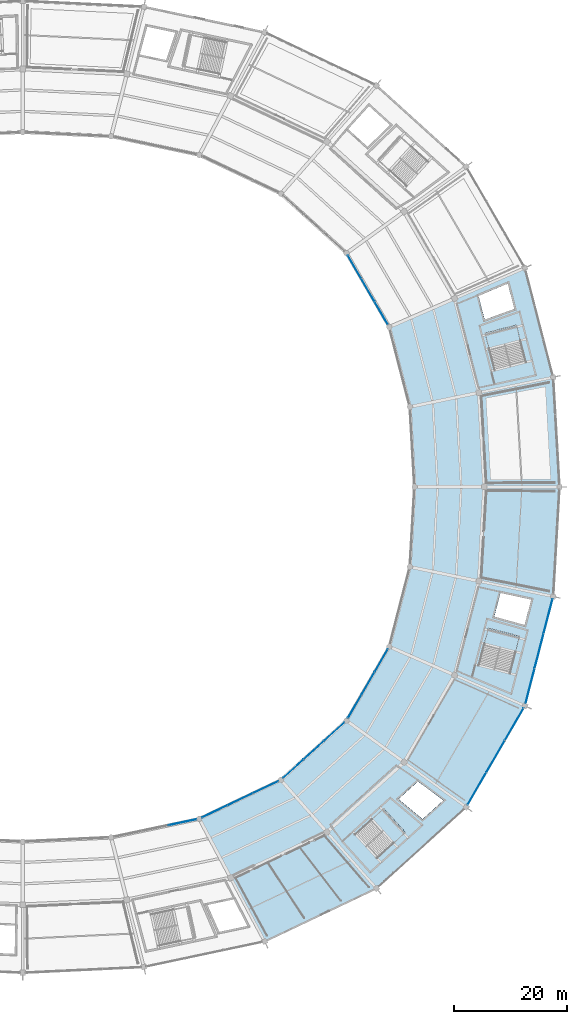
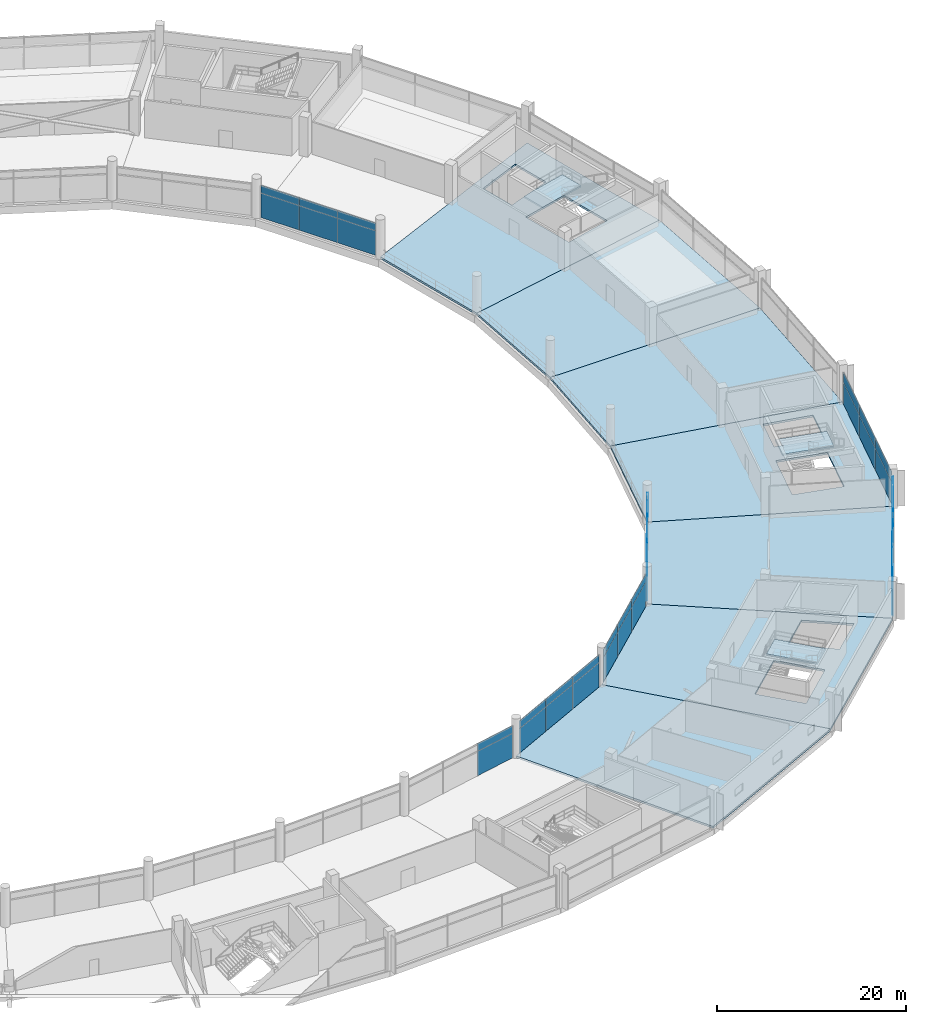
# One storey, part 140 of 184: 38 plates, 10 slabs, 10 elements without a shape of their own.
"""IFC4 building model written with IfcOpenShell, lengths in metres."""

from ifc_helpers import new_model, si_unit, direction, frame, origin, origin_2d, place, context, subcontext, project, spatial, polyline, rectangle, outline, extrude, material, layer, layer_set, type_object, element, aggregate, save


model = new_model("IFC4")

# Units and contexts
model_context = context("Model", 3, precision=1e-05, world=origin(), true_north=direction((0.0, 1.0)))
body_context = subcontext(model_context, "Body", "Model", "MODEL_VIEW")
ifc_project = project(units=[si_unit("LENGTHUNIT", "METRE"), si_unit("AREAUNIT", "SQUARE_METRE"), si_unit("VOLUMEUNIT", "CUBIC_METRE"), si_unit("PLANEANGLEUNIT", "RADIAN"), si_unit("MASSUNIT", "GRAM", prefix="KILO")], contexts=[model_context])

# Site, building, storey
site_placement = place(None, origin())
site = spatial("IfcSite", under=ifc_project, at=site_placement, CompositionType="ELEMENT")
building_placement = place(site_placement, origin())
building = spatial("IfcBuilding", under=site, at=building_placement, Name="Kazemori Nagisa Stadium", CompositionType="ELEMENT")
storey_placement = place(building_placement, frame((0.0, 0.0, 10.5400390625)))
storey = spatial("IfcBuildingStorey", under=building, at=storey_placement, Name="L02", CompositionType="ELEMENT", Elevation=10.5400390625)

# Curtain wall, plates
ifc_material_1 = material(Name="Anodised aluminium 6063-T5", Category="aluminium")
ifc_layer_1 = layer(ifc_material_1, 0.2099609375, Name="Anodised aluminium 6063-T5", Category="aluminium")
ifc_layer_set_1 = layer_set([ifc_layer_1], Name="Anodised aluminium 6063-T5")
curtain_wall_type_1 = type_object("IfcCurtainWallType", Name="CW_L02B_71", PredefinedType="USERDEFINED", material=ifc_layer_set_1)
curtain_wall_1_placement = place(storey_placement, origin())
curtain_wall_1 = element("IfcCurtainWall", 1, at=curtain_wall_1_placement, inside=storey, type_object=curtain_wall_type_1, Name="Unitised curtain wall CW-L02B-71 L02", ObjectType="UNITISED CURTAIN WALL", PredefinedType="USERDEFINED")
ifc_material_2 = material(Name="Anodised aluminium spandrel sheet", Category="aluminium")
ifc_layer_2 = layer(ifc_material_2, 0.044921875, Name="Anodised aluminium spandrel sheet", Category="aluminium")
ifc_layer_set_2 = layer_set([ifc_layer_2], Name="Anodised aluminium spandrel sheet")
plate_type_1 = type_object("IfcPlateType", Name="CWPanel_SPN_L02B_71", PredefinedType="CURTAIN_PANEL", material=ifc_layer_set_2)
plate_1_placement = place(storey_placement, frame((186.443115234375, 132.775634765625, 3.1845703125), z_axis=(0.0, 0.0, 1.0), x_axis=(-0.501611590054, 0.865092950337, 0.0)))
plate_1 = element("IfcPlate", 2, at=plate_1_placement, type_object=plate_type_1, Name="Curtain wall spandrel panel CW-L02B-71-S1", PredefinedType="CURTAIN_PANEL", context=body_context, shape_type="SweptSolid", body=[
    extrude(rectangle(XDim=4.659423828125, YDim=0.044921875, at=origin_2d()), origin(), (0.0, 0.0, 1.0), 1.005615234375),
])
plate_2_placement = place(storey_placement, frame((184.09375, 136.827392578125, 3.1845703125), z_axis=(0.0, 0.0, 1.0), x_axis=(-0.501611590054, 0.865092950337, 0.0)))
plate_2 = element("IfcPlate", 3, at=plate_2_placement, type_object=plate_type_1, Name="Curtain wall spandrel panel CW-L02B-71-S2", PredefinedType="CURTAIN_PANEL", context=body_context, shape_type="SweptSolid", body=[
    extrude(rectangle(XDim=4.659423828125, YDim=0.044921875, at=origin_2d()), origin(), (0.0, 0.0, 1.0), 1.005615234375),
])
plate_3_placement = place(storey_placement, frame((181.74462890625, 140.87890625, 3.1845703125), z_axis=(0.0, 0.0, 1.0), x_axis=(-0.501611590054, 0.865092950337, 0.0)))
plate_3 = element("IfcPlate", 4, at=plate_3_placement, type_object=plate_type_1, Name="Curtain wall spandrel panel CW-L02B-71-S3", PredefinedType="CURTAIN_PANEL", context=body_context, shape_type="SweptSolid", body=[
    extrude(rectangle(XDim=4.659423828125, YDim=0.044921875, at=origin_2d()), origin(), (0.0, 0.0, 1.0), 1.005615234375),
])

curtain_wall_2_placement = place(storey_placement, origin())
curtain_wall_2 = element("IfcCurtainWall", 5, at=curtain_wall_2_placement, inside=storey, type_object=curtain_wall_type_1, Name="Unitised curtain wall CW-L02B-71 L02", ObjectType="UNITISED CURTAIN WALL", PredefinedType="USERDEFINED")
plate_4_placement = place(storey_placement, frame((181.74462890625, 63.12109375, 3.1845703125), z_axis=(0.0, 0.0, 1.0), x_axis=(0.501611590054, 0.865092950337, 0.0)))
plate_4 = element("IfcPlate", 6, at=plate_4_placement, type_object=plate_type_1, Name="Curtain wall spandrel panel CW-L02B-71-S1", PredefinedType="CURTAIN_PANEL", context=body_context, shape_type="SweptSolid", body=[
    extrude(rectangle(XDim=4.659423828125, YDim=0.044921875, at=origin_2d()), origin(), (0.0, 0.0, 1.0), 1.005615234375),
])
plate_5_placement = place(storey_placement, frame((184.09375, 67.172607421875, 3.1845703125), z_axis=(0.0, 0.0, 1.0), x_axis=(0.501611590054, 0.865092950337, 0.0)))
plate_5 = element("IfcPlate", 7, at=plate_5_placement, type_object=plate_type_1, Name="Curtain wall spandrel panel CW-L02B-71-S2", PredefinedType="CURTAIN_PANEL", context=body_context, shape_type="SweptSolid", body=[
    extrude(rectangle(XDim=4.659423828125, YDim=0.044921875, at=origin_2d()), origin(), (0.0, 0.0, 1.0), 1.005615234375),
])
plate_6_placement = place(storey_placement, frame((186.443115234375, 71.224365234375, 3.1845703125), z_axis=(0.0, 0.0, 1.0), x_axis=(0.501611590054, 0.865092950337, 0.0)))
plate_6 = element("IfcPlate", 8, at=plate_6_placement, type_object=plate_type_1, Name="Curtain wall spandrel panel CW-L02B-71-S3", PredefinedType="CURTAIN_PANEL", context=body_context, shape_type="SweptSolid", body=[
    extrude(rectangle(XDim=4.659423828125, YDim=0.044921875, at=origin_2d()), origin(), (0.0, 0.0, 1.0), 1.005615234375),
])

ifc_layer_3 = layer(ifc_material_1, 0.2099609375, Name="Anodised aluminium 6063-T5", Category="aluminium")
ifc_layer_set_3 = layer_set([ifc_layer_3], Name="Anodised aluminium 6063-T5")
curtain_wall_type_2 = type_object("IfcCurtainWallType", Name="CW_L02B_73", PredefinedType="USERDEFINED", material=ifc_layer_set_3)
curtain_wall_3_placement = place(storey_placement, origin())
curtain_wall_3 = element("IfcCurtainWall", 9, at=curtain_wall_3_placement, inside=storey, type_object=curtain_wall_type_2, Name="Unitised curtain wall CW-L02B-73 L02", ObjectType="UNITISED CURTAIN WALL", PredefinedType="USERDEFINED")
ifc_layer_4 = layer(ifc_material_2, 0.044921875, Name="Anodised aluminium spandrel sheet", Category="aluminium")
ifc_layer_set_4 = layer_set([ifc_layer_4], Name="Anodised aluminium spandrel sheet")
plate_type_2 = type_object("IfcPlateType", Name="CWPanel_SPN_L02B_73", PredefinedType="CURTAIN_PANEL", material=ifc_layer_set_4)
plate_7_placement = place(storey_placement, frame((170.89501953125, 52.1171875, 3.1845703125), z_axis=(0.0, 0.0, 1.0), x_axis=(0.741350875443, 0.671117634607, 0.0)))
plate_7 = element("IfcPlate", 10, at=plate_7_placement, type_object=plate_type_2, Name="Curtain wall spandrel panel CW-L02B-73-S1", PredefinedType="CURTAIN_PANEL", context=body_context, shape_type="SweptSolid", body=[
    extrude(rectangle(XDim=4.83740234375, YDim=0.044921875, at=origin_2d()), origin(), (0.0, 0.0, 1.0), 1.005615234375),
])
plate_8_placement = place(storey_placement, frame((174.4990234375, 55.3798828125, 3.1845703125), z_axis=(0.0, 0.0, 1.0), x_axis=(0.741350875443, 0.671117634607, 0.0)))
plate_8 = element("IfcPlate", 11, at=plate_8_placement, type_object=plate_type_2, Name="Curtain wall spandrel panel CW-L02B-73-S2", PredefinedType="CURTAIN_PANEL", context=body_context, shape_type="SweptSolid", body=[
    extrude(rectangle(XDim=4.83740234375, YDim=0.044921875, at=origin_2d()), origin(), (0.0, 0.0, 1.0), 1.005615234375),
])
plate_9_placement = place(storey_placement, frame((178.10302734375, 58.642333984375, 3.1845703125), z_axis=(0.0, 0.0, 1.0), x_axis=(0.741350875443, 0.671117634607, 0.0)))
plate_9 = element("IfcPlate", 12, at=plate_9_placement, type_object=plate_type_2, Name="Curtain wall spandrel panel CW-L02B-73-S3", PredefinedType="CURTAIN_PANEL", context=body_context, shape_type="SweptSolid", body=[
    extrude(rectangle(XDim=4.83740234375, YDim=0.044921875, at=origin_2d()), origin(), (0.0, 0.0, 1.0), 1.005615234375),
])

# Curtain wall, plate
ifc_layer_5 = layer(ifc_material_1, 0.2099609375, Name="Anodised aluminium 6063-T5", Category="aluminium")
ifc_layer_set_5 = layer_set([ifc_layer_5], Name="Anodised aluminium 6063-T5")
curtain_wall_type_3 = type_object("IfcCurtainWallType", Name="CW_L02B_75", PredefinedType="USERDEFINED", material=ifc_layer_set_5)
curtain_wall_4_placement = place(storey_placement, origin())
curtain_wall_4 = element("IfcCurtainWall", 13, at=curtain_wall_4_placement, inside=storey, type_object=curtain_wall_type_3, Name="Unitised curtain wall CW-L02B-75 L02", ObjectType="UNITISED CURTAIN WALL", PredefinedType="USERDEFINED")
ifc_layer_6 = layer(ifc_material_2, 0.044921875, Name="Anodised aluminium spandrel sheet", Category="aluminium")
ifc_layer_set_6 = layer_set([ifc_layer_6], Name="Anodised aluminium spandrel sheet")
plate_type_3 = type_object("IfcPlateType", Name="CWPanel_SPN_L02B_75", PredefinedType="CURTAIN_PANEL", material=ifc_layer_set_6)
plate_10_placement = place(storey_placement, frame((151.297607421875, 42.636962890625, 3.1845703125), z_axis=(0.0, 0.0, 1.0), x_axis=(0.978344955407, 0.206981033502, 0.0)))
plate_10 = element("IfcPlate", 14, at=plate_10_placement, type_object=plate_type_3, Name="Curtain wall spandrel panel CW-L02B-75-S3", PredefinedType="CURTAIN_PANEL", context=body_context, shape_type="SweptSolid", body=[
    extrude(rectangle(XDim=4.936279296875, YDim=0.044921875, at=origin_2d()), origin(), (0.0, 0.0, 1.0), 1.005615234375),
])

# Curtain wall, plates
curtain_wall_5_placement = place(storey_placement, origin())
curtain_wall_5 = element("IfcCurtainWall", 15, at=curtain_wall_5_placement, inside=storey, type_object=curtain_wall_type_3, Name="Unitised curtain wall CW-L02B-75 L02", ObjectType="UNITISED CURTAIN WALL", PredefinedType="USERDEFINED")
plate_11_placement = place(storey_placement, frame((156.977783203125, 44.55859375, 3.1845703125), z_axis=(0.0, 0.0, 1.0), x_axis=(0.903215892654, 0.429186499388, 0.0)))
plate_11 = element("IfcPlate", 16, at=plate_11_placement, type_object=plate_type_3, Name="Curtain wall spandrel panel CW-L02B-75-S1", PredefinedType="CURTAIN_PANEL", context=body_context, shape_type="SweptSolid", body=[
    extrude(rectangle(XDim=4.95166015625, YDim=0.044921875, at=origin_2d()), origin(), (0.0, 0.0, 1.0), 1.005615234375),
])
plate_12_placement = place(storey_placement, frame((161.471923828125, 46.694091796875, 3.1845703125), z_axis=(0.0, 0.0, 1.0), x_axis=(0.903215892654, 0.429186499388, 0.0)))
plate_12 = element("IfcPlate", 17, at=plate_12_placement, type_object=plate_type_3, Name="Curtain wall spandrel panel CW-L02B-75-S2", PredefinedType="CURTAIN_PANEL", context=body_context, shape_type="SweptSolid", body=[
    extrude(rectangle(XDim=4.95166015625, YDim=0.044921875, at=origin_2d()), origin(), (0.0, 0.0, 1.0), 1.005615234375),
])
plate_13_placement = place(storey_placement, frame((165.96630859375, 48.82958984375, 3.1845703125), z_axis=(0.0, 0.0, 1.0), x_axis=(0.903215892654, 0.429186499388, 0.0)))
plate_13 = element("IfcPlate", 18, at=plate_13_placement, type_object=plate_type_3, Name="Curtain wall spandrel panel CW-L02B-75-S3", PredefinedType="CURTAIN_PANEL", context=body_context, shape_type="SweptSolid", body=[
    extrude(rectangle(XDim=4.95166015625, YDim=0.044921875, at=origin_2d()), origin(), (0.0, 0.0, 1.0), 1.005615234375),
])

ifc_layer_7 = layer(ifc_material_1, 0.2099609375, Name="Anodised aluminium 6063-T5", Category="aluminium")
ifc_layer_set_7 = layer_set([ifc_layer_7], Name="Anodised aluminium 6063-T5")
curtain_wall_type_4 = type_object("IfcCurtainWallType", Name="CW_L02R3_96", PredefinedType="USERDEFINED", material=ifc_layer_set_7)
curtain_wall_6_placement = place(storey_placement, origin())
curtain_wall_6 = element("IfcCurtainWall", 19, at=curtain_wall_6_placement, inside=storey, type_object=curtain_wall_type_4, Name="Unitised curtain wall CW-L02R3-96 L02", ObjectType="UNITISED CURTAIN WALL", PredefinedType="USERDEFINED")
ifc_layer_8 = layer(ifc_material_2, 0.048095703125, Name="Anodised aluminium spandrel sheet", Category="aluminium")
ifc_layer_set_8 = layer_set([ifc_layer_8], Name="Anodised aluminium spandrel sheet")
plate_type_4 = type_object("IfcPlateType", Name="CWPanel_SPN_L02R3_96", PredefinedType="CURTAIN_PANEL", material=ifc_layer_set_8)
plate_14_placement = place(storey_placement, frame((212.796630859375, 66.782470703125, 2.84912109375), z_axis=(0.0, 0.0, 1.0), x_axis=(0.249964642418, 0.968254965152, 0.0)))
plate_14 = element("IfcPlate", 20, at=plate_14_placement, type_object=plate_type_4, Name="Curtain wall spandrel panel CW-L02R3-96-S1", PredefinedType="CURTAIN_PANEL", context=body_context, shape_type="SweptSolid", body=[
    extrude(rectangle(XDim=6.3212890625, YDim=0.048095703125, at=origin_2d()), origin(), (0.0, 0.0, 1.0), 1.3408203125),
])
plate_15_placement = place(storey_placement, frame((214.3828125, 72.92626953125, 2.84912109375), z_axis=(0.0, 0.0, 1.0), x_axis=(0.249964642418, 0.968254965152, 0.0)))
plate_15 = element("IfcPlate", 21, at=plate_15_placement, type_object=plate_type_4, Name="Curtain wall spandrel panel CW-L02R3-96-S2", PredefinedType="CURTAIN_PANEL", context=body_context, shape_type="SweptSolid", body=[
    extrude(rectangle(XDim=6.3212890625, YDim=0.048095703125, at=origin_2d()), origin(), (0.0, 0.0, 1.0), 1.3408203125),
])
plate_16_placement = place(storey_placement, frame((215.968994140625, 79.0703125, 2.84912109375), z_axis=(0.0, 0.0, 1.0), x_axis=(0.249964642418, 0.968254965152, 0.0)))
plate_16 = element("IfcPlate", 22, at=plate_16_placement, type_object=plate_type_4, Name="Curtain wall spandrel panel CW-L02R3-96-S3", PredefinedType="CURTAIN_PANEL", context=body_context, shape_type="SweptSolid", body=[
    extrude(rectangle(XDim=6.3212890625, YDim=0.048095703125, at=origin_2d()), origin(), (0.0, 0.0, 1.0), 1.3408203125),
])

ifc_layer_9 = layer(ifc_material_1, 0.2099609375, Name="Anodised aluminium 6063-T5", Category="aluminium")
ifc_layer_set_9 = layer_set([ifc_layer_9], Name="Anodised aluminium 6063-T5")
curtain_wall_type_5 = type_object("IfcCurtainWallType", Name="CW_L02R3_99", PredefinedType="USERDEFINED", material=ifc_layer_set_9)
curtain_wall_7_placement = place(storey_placement, origin())
curtain_wall_7 = element("IfcCurtainWall", 23, at=curtain_wall_7_placement, inside=storey, type_object=curtain_wall_type_5, Name="Unitised curtain wall CW-L02R3-99 L02", ObjectType="UNITISED CURTAIN WALL", PredefinedType="USERDEFINED")
ifc_layer_10 = layer(ifc_material_2, 0.048095703125, Name="Anodised aluminium spandrel sheet", Category="aluminium")
ifc_layer_set_10 = layer_set([ifc_layer_10], Name="Anodised aluminium spandrel sheet")
plate_type_5 = type_object("IfcPlateType", Name="CWPanel_SPN_L02R3_99", PredefinedType="CURTAIN_PANEL", material=ifc_layer_set_10)
plate_17_placement = place(storey_placement, frame((203.3857421875, 48.5927734375, 2.84912109375), z_axis=(0.0, 0.0, 1.0), x_axis=(0.501611590054, 0.865092950337, 0.0)))
plate_17 = element("IfcPlate", 24, at=plate_17_placement, type_object=plate_type_5, Name="Curtain wall spandrel panel CW-L02R3-99-S1", PredefinedType="CURTAIN_PANEL", context=body_context, shape_type="SweptSolid", body=[
    extrude(rectangle(XDim=6.563232421875, YDim=0.048095703125, at=origin_2d()), origin(), (0.0, 0.0, 1.0), 1.3408203125),
])
plate_18_placement = place(storey_placement, frame((206.690185546875, 54.29150390625, 2.84912109375), z_axis=(0.0, 0.0, 1.0), x_axis=(0.501611590054, 0.865092950337, 0.0)))
plate_18 = element("IfcPlate", 25, at=plate_18_placement, type_object=plate_type_5, Name="Curtain wall spandrel panel CW-L02R3-99-S2", PredefinedType="CURTAIN_PANEL", context=body_context, shape_type="SweptSolid", body=[
    extrude(rectangle(XDim=6.563232421875, YDim=0.048095703125, at=origin_2d()), origin(), (0.0, 0.0, 1.0), 1.3408203125),
])
plate_19_placement = place(storey_placement, frame((209.994384765625, 59.990234375, 2.84912109375), z_axis=(0.0, 0.0, 1.0), x_axis=(0.501611590054, 0.865092950337, 0.0)))
plate_19 = element("IfcPlate", 26, at=plate_19_placement, type_object=plate_type_5, Name="Curtain wall spandrel panel CW-L02R3-99-S3", PredefinedType="CURTAIN_PANEL", context=body_context, shape_type="SweptSolid", body=[
    extrude(rectangle(XDim=6.563232421875, YDim=0.048095703125, at=origin_2d()), origin(), (0.0, 0.0, 1.0), 1.3408203125),
])

# Plate
ifc_material_3 = material(Name="Low-e laminated double glazing", Category="glass")
ifc_layer_11 = layer(ifc_material_3, 0.031982421875, Name="Low-e laminated double glazing", Category="glass")
ifc_layer_set_11 = layer_set([ifc_layer_11], Name="Low-e laminated double glazing")
plate_type_6 = type_object("IfcPlateType", Name="CWPanel_VIS_L02B_71", PredefinedType="CURTAIN_PANEL", material=ifc_layer_set_11)
plate_20_placement = place(storey_placement, frame((186.443115234375, 132.775634765625, 0.0), z_axis=(0.0, 0.0, 1.0), x_axis=(-0.501611590054, 0.865092950337, 0.0)))
plate_20 = element("IfcPlate", 27, at=plate_20_placement, type_object=plate_type_6, Name="Curtain wall vision panel CW-L02B-71-V1", PredefinedType="CURTAIN_PANEL", context=body_context, shape_type="SweptSolid", body=[
    extrude(rectangle(XDim=4.659423828125, YDim=0.031982421875, at=origin_2d()), origin(), (0.0, 0.0, 1.0), 3.184326171875),
])

plate_21_placement = place(storey_placement, frame((184.09375, 136.827392578125, 0.0), z_axis=(0.0, 0.0, 1.0), x_axis=(-0.501611590054, 0.865092950337, 0.0)))
plate_21 = element("IfcPlate", 28, at=plate_21_placement, type_object=plate_type_6, Name="Curtain wall vision panel CW-L02B-71-V2", PredefinedType="CURTAIN_PANEL", context=body_context, shape_type="SweptSolid", body=[
    extrude(rectangle(XDim=4.659423828125, YDim=0.031982421875, at=origin_2d()), origin(), (0.0, 0.0, 1.0), 3.184326171875),
])

plate_22_placement = place(storey_placement, frame((181.74462890625, 140.87890625, 0.0), z_axis=(0.0, 0.0, 1.0), x_axis=(-0.501611590054, 0.865092950337, 0.0)))
plate_22 = element("IfcPlate", 29, at=plate_22_placement, type_object=plate_type_6, Name="Curtain wall vision panel CW-L02B-71-V3", PredefinedType="CURTAIN_PANEL", context=body_context, shape_type="SweptSolid", body=[
    extrude(rectangle(XDim=4.659423828125, YDim=0.031982421875, at=origin_2d()), origin(), (0.0, 0.0, 1.0), 3.184326171875),
])

aggregate(curtain_wall_1, [plate_20, plate_1, plate_21, plate_2, plate_22, plate_3])

plate_23_placement = place(storey_placement, frame((181.74462890625, 63.12109375, 0.0), z_axis=(0.0, 0.0, 1.0), x_axis=(0.501611590054, 0.865092950337, 0.0)))
plate_23 = element("IfcPlate", 30, at=plate_23_placement, type_object=plate_type_6, Name="Curtain wall vision panel CW-L02B-71-V1", PredefinedType="CURTAIN_PANEL", context=body_context, shape_type="SweptSolid", body=[
    extrude(rectangle(XDim=4.659423828125, YDim=0.031982421875, at=origin_2d()), origin(), (0.0, 0.0, 1.0), 3.184326171875),
])

plate_24_placement = place(storey_placement, frame((184.09375, 67.172607421875, 0.0), z_axis=(0.0, 0.0, 1.0), x_axis=(0.501611590054, 0.865092950337, 0.0)))
plate_24 = element("IfcPlate", 31, at=plate_24_placement, type_object=plate_type_6, Name="Curtain wall vision panel CW-L02B-71-V2", PredefinedType="CURTAIN_PANEL", context=body_context, shape_type="SweptSolid", body=[
    extrude(rectangle(XDim=4.659423828125, YDim=0.031982421875, at=origin_2d()), origin(), (0.0, 0.0, 1.0), 3.184326171875),
])

plate_25_placement = place(storey_placement, frame((186.443115234375, 71.224365234375, 0.0), z_axis=(0.0, 0.0, 1.0), x_axis=(0.501611590054, 0.865092950337, 0.0)))
plate_25 = element("IfcPlate", 32, at=plate_25_placement, type_object=plate_type_6, Name="Curtain wall vision panel CW-L02B-71-V3", PredefinedType="CURTAIN_PANEL", context=body_context, shape_type="SweptSolid", body=[
    extrude(rectangle(XDim=4.659423828125, YDim=0.031982421875, at=origin_2d()), origin(), (0.0, 0.0, 1.0), 3.184326171875),
])

aggregate(curtain_wall_2, [plate_23, plate_4, plate_24, plate_5, plate_25, plate_6])

ifc_layer_12 = layer(ifc_material_3, 0.031982421875, Name="Low-e laminated double glazing", Category="glass")
ifc_layer_set_12 = layer_set([ifc_layer_12], Name="Low-e laminated double glazing")
plate_type_7 = type_object("IfcPlateType", Name="CWPanel_VIS_L02B_73", PredefinedType="CURTAIN_PANEL", material=ifc_layer_set_12)
plate_26_placement = place(storey_placement, frame((170.89501953125, 52.1171875, 0.0), z_axis=(0.0, 0.0, 1.0), x_axis=(0.741350875443, 0.671117634607, 0.0)))
plate_26 = element("IfcPlate", 33, at=plate_26_placement, type_object=plate_type_7, Name="Curtain wall vision panel CW-L02B-73-V1", PredefinedType="CURTAIN_PANEL", context=body_context, shape_type="SweptSolid", body=[
    extrude(rectangle(XDim=4.83740234375, YDim=0.031982421875, at=origin_2d()), origin(), (0.0, 0.0, 1.0), 3.184326171875),
])

plate_27_placement = place(storey_placement, frame((174.4990234375, 55.3798828125, 0.0), z_axis=(0.0, 0.0, 1.0), x_axis=(0.741350875443, 0.671117634607, 0.0)))
plate_27 = element("IfcPlate", 34, at=plate_27_placement, type_object=plate_type_7, Name="Curtain wall vision panel CW-L02B-73-V2", PredefinedType="CURTAIN_PANEL", context=body_context, shape_type="SweptSolid", body=[
    extrude(rectangle(XDim=4.83740234375, YDim=0.031982421875, at=origin_2d()), origin(), (0.0, 0.0, 1.0), 3.184326171875),
])

plate_28_placement = place(storey_placement, frame((178.10302734375, 58.642333984375, 0.0), z_axis=(0.0, 0.0, 1.0), x_axis=(0.741350875443, 0.671117634607, 0.0)))
plate_28 = element("IfcPlate", 35, at=plate_28_placement, type_object=plate_type_7, Name="Curtain wall vision panel CW-L02B-73-V3", PredefinedType="CURTAIN_PANEL", context=body_context, shape_type="SweptSolid", body=[
    extrude(rectangle(XDim=4.83740234375, YDim=0.031982421875, at=origin_2d()), origin(), (0.0, 0.0, 1.0), 3.184326171875),
])

aggregate(curtain_wall_3, [plate_26, plate_7, plate_27, plate_8, plate_28, plate_9])

ifc_layer_13 = layer(ifc_material_3, 0.031982421875, Name="Low-e laminated double glazing", Category="glass")
ifc_layer_set_13 = layer_set([ifc_layer_13], Name="Low-e laminated double glazing")
plate_type_8 = type_object("IfcPlateType", Name="CWPanel_VIS_L02B_75", PredefinedType="CURTAIN_PANEL", material=ifc_layer_set_13)
plate_29_placement = place(storey_placement, frame((151.297607421875, 42.636962890625, 0.0), z_axis=(0.0, 0.0, 1.0), x_axis=(0.978344955407, 0.206981033502, 0.0)))
plate_29 = element("IfcPlate", 36, at=plate_29_placement, type_object=plate_type_8, Name="Curtain wall vision panel CW-L02B-75-V3", PredefinedType="CURTAIN_PANEL", context=body_context, shape_type="SweptSolid", body=[
    extrude(rectangle(XDim=4.936279296875, YDim=0.031982421875, at=origin_2d()), origin(), (0.0, 0.0, 1.0), 3.184326171875),
])

aggregate(curtain_wall_4, [plate_29, plate_10])

plate_30_placement = place(storey_placement, frame((156.977783203125, 44.55859375, 0.0), z_axis=(0.0, 0.0, 1.0), x_axis=(0.903215892654, 0.429186499388, 0.0)))
plate_30 = element("IfcPlate", 37, at=plate_30_placement, type_object=plate_type_8, Name="Curtain wall vision panel CW-L02B-75-V1", PredefinedType="CURTAIN_PANEL", context=body_context, shape_type="SweptSolid", body=[
    extrude(rectangle(XDim=4.95166015625, YDim=0.031982421875, at=origin_2d()), origin(), (0.0, 0.0, 1.0), 3.184326171875),
])

plate_31_placement = place(storey_placement, frame((161.471923828125, 46.694091796875, 0.0), z_axis=(0.0, 0.0, 1.0), x_axis=(0.903215892654, 0.429186499388, 0.0)))
plate_31 = element("IfcPlate", 38, at=plate_31_placement, type_object=plate_type_8, Name="Curtain wall vision panel CW-L02B-75-V2", PredefinedType="CURTAIN_PANEL", context=body_context, shape_type="SweptSolid", body=[
    extrude(rectangle(XDim=4.95166015625, YDim=0.031982421875, at=origin_2d()), origin(), (0.0, 0.0, 1.0), 3.184326171875),
])

plate_32_placement = place(storey_placement, frame((165.96630859375, 48.82958984375, 0.0), z_axis=(0.0, 0.0, 1.0), x_axis=(0.903215892654, 0.429186499388, 0.0)))
plate_32 = element("IfcPlate", 39, at=plate_32_placement, type_object=plate_type_8, Name="Curtain wall vision panel CW-L02B-75-V3", PredefinedType="CURTAIN_PANEL", context=body_context, shape_type="SweptSolid", body=[
    extrude(rectangle(XDim=4.95166015625, YDim=0.031982421875, at=origin_2d()), origin(), (0.0, 0.0, 1.0), 3.184326171875),
])

aggregate(curtain_wall_5, [plate_30, plate_11, plate_31, plate_12, plate_32, plate_13])

ifc_layer_14 = layer(ifc_material_3, 0.030029296875, Name="Low-e laminated double glazing", Category="glass")
ifc_layer_set_14 = layer_set([ifc_layer_14], Name="Low-e laminated double glazing")
plate_type_9 = type_object("IfcPlateType", Name="CWPanel_VIS_L02R3_96", PredefinedType="CURTAIN_PANEL", material=ifc_layer_set_14)
plate_33_placement = place(storey_placement, frame((212.796630859375, 66.782470703125, 0.0), z_axis=(0.0, 0.0, 1.0), x_axis=(0.249964642418, 0.968254965152, 0.0)))
plate_33 = element("IfcPlate", 40, at=plate_33_placement, type_object=plate_type_9, Name="Curtain wall vision panel CW-L02R3-96-V1", PredefinedType="CURTAIN_PANEL", context=body_context, shape_type="SweptSolid", body=[
    extrude(rectangle(XDim=6.3212890625, YDim=0.030029296875, at=origin_2d()), origin(), (0.0, 0.0, 1.0), 2.84912109375),
])

plate_34_placement = place(storey_placement, frame((214.3828125, 72.92626953125, 0.0), z_axis=(0.0, 0.0, 1.0), x_axis=(0.249964642418, 0.968254965152, 0.0)))
plate_34 = element("IfcPlate", 41, at=plate_34_placement, type_object=plate_type_9, Name="Curtain wall vision panel CW-L02R3-96-V2", PredefinedType="CURTAIN_PANEL", context=body_context, shape_type="SweptSolid", body=[
    extrude(rectangle(XDim=6.3212890625, YDim=0.030029296875, at=origin_2d()), origin(), (0.0, 0.0, 1.0), 2.84912109375),
])

plate_35_placement = place(storey_placement, frame((215.968994140625, 79.0703125, 0.0), z_axis=(0.0, 0.0, 1.0), x_axis=(0.249964642418, 0.968254965152, 0.0)))
plate_35 = element("IfcPlate", 42, at=plate_35_placement, type_object=plate_type_9, Name="Curtain wall vision panel CW-L02R3-96-V3", PredefinedType="CURTAIN_PANEL", context=body_context, shape_type="SweptSolid", body=[
    extrude(rectangle(XDim=6.3212890625, YDim=0.030029296875, at=origin_2d()), origin(), (0.0, 0.0, 1.0), 2.84912109375),
])

aggregate(curtain_wall_6, [plate_33, plate_14, plate_34, plate_15, plate_35, plate_16])

ifc_layer_15 = layer(ifc_material_3, 0.030029296875, Name="Low-e laminated double glazing", Category="glass")
ifc_layer_set_15 = layer_set([ifc_layer_15], Name="Low-e laminated double glazing")
plate_type_10 = type_object("IfcPlateType", Name="CWPanel_VIS_L02R3_99", PredefinedType="CURTAIN_PANEL", material=ifc_layer_set_15)
plate_36_placement = place(storey_placement, frame((203.3857421875, 48.5927734375, 0.0), z_axis=(0.0, 0.0, 1.0), x_axis=(0.501611590054, 0.865092950337, 0.0)))
plate_36 = element("IfcPlate", 43, at=plate_36_placement, type_object=plate_type_10, Name="Curtain wall vision panel CW-L02R3-99-V1", PredefinedType="CURTAIN_PANEL", context=body_context, shape_type="SweptSolid", body=[
    extrude(rectangle(XDim=6.563232421875, YDim=0.030029296875, at=origin_2d()), origin(), (0.0, 0.0, 1.0), 2.84912109375),
])

plate_37_placement = place(storey_placement, frame((206.690185546875, 54.29150390625, 0.0), z_axis=(0.0, 0.0, 1.0), x_axis=(0.501611590054, 0.865092950337, 0.0)))
plate_37 = element("IfcPlate", 44, at=plate_37_placement, type_object=plate_type_10, Name="Curtain wall vision panel CW-L02R3-99-V2", PredefinedType="CURTAIN_PANEL", context=body_context, shape_type="SweptSolid", body=[
    extrude(rectangle(XDim=6.563232421875, YDim=0.030029296875, at=origin_2d()), origin(), (0.0, 0.0, 1.0), 2.84912109375),
])

plate_38_placement = place(storey_placement, frame((209.994384765625, 59.990234375, 0.0), z_axis=(0.0, 0.0, 1.0), x_axis=(0.501611590054, 0.865092950337, 0.0)))
plate_38 = element("IfcPlate", 45, at=plate_38_placement, type_object=plate_type_10, Name="Curtain wall vision panel CW-L02R3-99-V3", PredefinedType="CURTAIN_PANEL", context=body_context, shape_type="SweptSolid", body=[
    extrude(rectangle(XDim=6.563232421875, YDim=0.030029296875, at=origin_2d()), origin(), (0.0, 0.0, 1.0), 2.84912109375),
])

aggregate(curtain_wall_7, [plate_36, plate_17, plate_37, plate_18, plate_38, plate_19])

# Slabs
ifc_material_4 = material(Name="Concrete C36/45 (Fc36)", Category="concrete")
ifc_layer_16 = layer(ifc_material_4, 0.260009765625, Name="Concrete C36/45 (Fc36)", Category="concrete")
ifc_layer_set_16 = layer_set([ifc_layer_16], Name="Concrete C36/45 (Fc36)")
slab_type_1 = type_object("IfcSlabType", Name="Slab_SL-CONC-260", PredefinedType="FLOOR", material=ifc_layer_set_16)
slab_1_placement = place(storey_placement, frame((0.0, 0.0, -0.260009765625)))
element("IfcSlab", 46, at=slab_1_placement, inside=storey, type_object=slab_type_1, Name="Concourse floor slab L02 bay 01", PredefinedType="FLOOR", context=body_context, shape_type="SweptSolid", body=[
    extrude(outline(polyline([(192.35009765625, 102.0), (191.532958984375, 116.160400390625), (216.880859375, 121.397705078125), (218.0, 102.0), (192.35009765625, 102.0)])), origin(), (0.0, 0.0, 1.0), 0.260009765625),
])
slab_2_placement = place(storey_placement, frame((0.0, 0.0, -0.260009765625)))
element("IfcSlab", 47, at=slab_2_placement, inside=storey, type_object=slab_type_1, Name="Concourse floor slab L02 bay 02", PredefinedType="FLOOR", context=body_context, shape_type="SweptSolid", body=[
    extrude(outline(polyline([(191.532958984375, 116.160400390625), (187.885986328125, 130.287109375), (211.885009765625, 140.74951171875), (216.880859375, 121.397705078125), (191.532958984375, 116.160400390625)]), holes=[polyline([(206.533447265625, 122.641357421875), (204.902587890625, 128.959228515625), (210.421630859375, 130.384033203125), (212.052490234375, 124.066162109375), (206.533447265625, 122.641357421875)]), polyline([(204.751953125, 131.6064453125), (203.668212890625, 135.804931640625), (208.84375, 137.973876953125), (209.9970703125, 133.505859375), (204.751953125, 131.6064453125)])]), origin(), (0.0, 0.0, 1.0), 0.260009765625),
])
slab_3_placement = place(storey_placement, frame((0.0, 0.0, -0.260009765625)))
element("IfcSlab", 48, at=slab_3_placement, inside=storey, type_object=slab_type_1, Name="Concourse floor slab L02 bay 24", PredefinedType="FLOOR", context=body_context, shape_type="SweptSolid", body=[
    extrude(outline(polyline([(154.24755859375, 43.260986328125), (168.696533203125, 50.126953125), (185.597900390625, 30.94091796875), (165.8046875, 21.53564453125), (154.24755859375, 43.260986328125)])), origin(), (0.0, 0.0, 1.0), 0.260009765625),
])
slab_4_placement = place(storey_placement, frame((0.0, 0.0, -0.260009765625)))
element("IfcSlab", 49, at=slab_4_placement, inside=storey, type_object=slab_type_1, Name="Concourse floor slab L02 bay 25", PredefinedType="FLOOR", context=body_context, shape_type="SweptSolid", body=[
    extrude(outline(polyline([(168.696533203125, 50.126953125), (180.301513671875, 60.632568359375), (201.495361328125, 45.332275390625), (185.597900390625, 30.94091796875), (168.696533203125, 50.126953125)]), holes=[polyline([(181.87890625, 40.5205078125), (186.716064453125, 44.899658203125), (190.54150390625, 40.673828125), (185.7041015625, 36.294921875), (181.87890625, 40.5205078125)]), polyline([(189.504638671875, 46.739501953125), (192.953857421875, 49.86181640625), (197.442138671875, 46.5166015625), (193.771728515625, 43.19384765625), (189.504638671875, 46.739501953125)])]), origin(), (0.0, 0.0, 1.0), 0.260009765625),
])
slab_5_placement = place(storey_placement, frame((0.0, 0.0, -0.260009765625)))
element("IfcSlab", 50, at=slab_5_placement, inside=storey, type_object=slab_type_1, Name="Concourse floor slab L02 bay 26", PredefinedType="FLOOR", context=body_context, shape_type="SweptSolid", body=[
    extrude(outline(polyline([(180.301513671875, 60.632568359375), (187.885986328125, 73.712890625), (211.885009765625, 63.25048828125), (201.495361328125, 45.332275390625), (180.301513671875, 60.632568359375)])), origin(), (0.0, 0.0, 1.0), 0.260009765625),
])
slab_6_placement = place(storey_placement, frame((0.0, 0.0, -0.260009765625)))
element("IfcSlab", 51, at=slab_6_placement, inside=storey, type_object=slab_type_1, Name="Concourse floor slab L02 bay 27", PredefinedType="FLOOR", context=body_context, shape_type="SweptSolid", body=[
    extrude(outline(polyline([(187.885986328125, 73.712890625), (191.532958984375, 87.839599609375), (216.880859375, 82.602294921875), (211.885009765625, 63.25048828125), (187.885986328125, 73.712890625)]), holes=[polyline([(203.708740234375, 70.41650390625), (205.339599609375, 76.734375), (210.85888671875, 75.3095703125), (209.227783203125, 68.99169921875), (203.708740234375, 70.41650390625)]), polyline([(206.46826171875, 79.041259765625), (207.552001953125, 83.239990234375), (212.976806640625, 82.036376953125), (211.823486328125, 77.568359375), (206.46826171875, 79.041259765625)])]), origin(), (0.0, 0.0, 1.0), 0.260009765625),
])
slab_7_placement = place(storey_placement, frame((0.0, 0.0, -0.260009765625)))
element("IfcSlab", 52, at=slab_7_placement, inside=storey, type_object=slab_type_1, Name="Concourse floor slab L02 bay 28", PredefinedType="FLOOR", context=body_context, shape_type="SweptSolid", body=[
    extrude(outline(polyline([(191.532958984375, 87.839599609375), (192.35009765625, 102.0), (218.0, 102.0), (216.880859375, 82.602294921875), (191.532958984375, 87.839599609375)])), origin(), (0.0, 0.0, 1.0), 0.260009765625),
])

# Stair, slab
stair_type = type_object("IfcStairType", Name="Stair_CORE_30", PredefinedType="TWO_STRAIGHT_RUN_STAIR", material=ifc_material_4)
stair_1_placement = place(storey_placement, origin())
stair_1 = element("IfcStair", 53, at=stair_1_placement, inside=storey, type_object=stair_type, Name="Exit stair ST07 L02", PredefinedType="TWO_STRAIGHT_RUN_STAIR")
ifc_layer_17 = layer(ifc_material_4, 0.199951171875, Name="Concrete C36/45 (Fc36)", Category="concrete")
ifc_layer_set_17 = layer_set([ifc_layer_17], Name="Concrete C36/45 (Fc36)")
slab_type_2 = type_object("IfcSlabType", Name="Slab_SL-LND-200", PredefinedType="LANDING", material=ifc_layer_set_17)
slab_8_placement = place(storey_placement, frame((0.0, 0.0, 2.349853515625)))
slab_8 = element("IfcSlab", 54, at=slab_8_placement, type_object=slab_type_2, Name="Exit stair ST07 L02 mid-landing", PredefinedType="LANDING", context=body_context, shape_type="SweptSolid", body=[
    extrude(outline(polyline([(205.543701171875, 126.4755859375), (204.831298828125, 129.235107421875), (210.350341796875, 130.659912109375), (211.062744140625, 127.900390625), (205.543701171875, 126.4755859375)])), origin(), (0.0, 0.0, 1.0), 0.2001953125),
])
aggregate(stair_1, [slab_8])

stair_2_placement = place(storey_placement, origin())
stair_2 = element("IfcStair", 55, at=stair_2_placement, inside=storey, type_object=stair_type, Name="Exit stair ST04 L02", PredefinedType="TWO_STRAIGHT_RUN_STAIR")
slab_9_placement = place(storey_placement, frame((0.0, 0.0, 2.349853515625)))
slab_9 = element("IfcSlab", 56, at=slab_9_placement, type_object=slab_type_2, Name="Exit stair ST04 L02 mid-landing", PredefinedType="LANDING", context=body_context, shape_type="SweptSolid", body=[
    extrude(outline(polyline([(184.814453125, 43.17822265625), (186.927490234375, 45.0908203125), (190.752685546875, 40.865234375), (188.639892578125, 38.952392578125), (184.814453125, 43.17822265625)])), origin(), (0.0, 0.0, 1.0), 0.2001953125),
])
aggregate(stair_2, [slab_9])

stair_3_placement = place(storey_placement, origin())
stair_3 = element("IfcStair", 57, at=stair_3_placement, inside=storey, type_object=stair_type, Name="Exit stair ST10 L02", PredefinedType="TWO_STRAIGHT_RUN_STAIR")
slab_10_placement = place(storey_placement, frame((0.0, 0.0, 2.349853515625)))
slab_10 = element("IfcSlab", 58, at=slab_10_placement, type_object=slab_type_2, Name="Exit stair ST10 L02 mid-landing", PredefinedType="LANDING", context=body_context, shape_type="SweptSolid", body=[
    extrude(outline(polyline([(204.698486328125, 74.250732421875), (205.410888671875, 77.01025390625), (210.929931640625, 75.58544921875), (210.217529296875, 72.825927734375), (204.698486328125, 74.250732421875)])), origin(), (0.0, 0.0, 1.0), 0.2001953125),
])
aggregate(stair_3, [slab_10])

save(model, "model.ifc")
